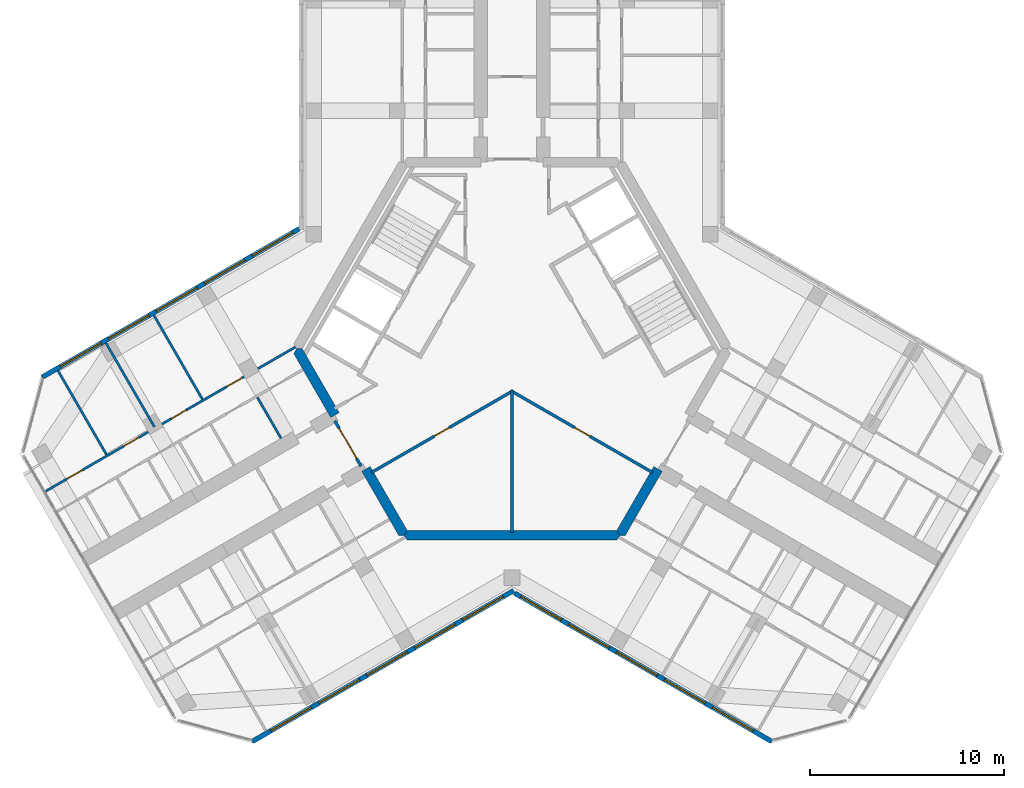
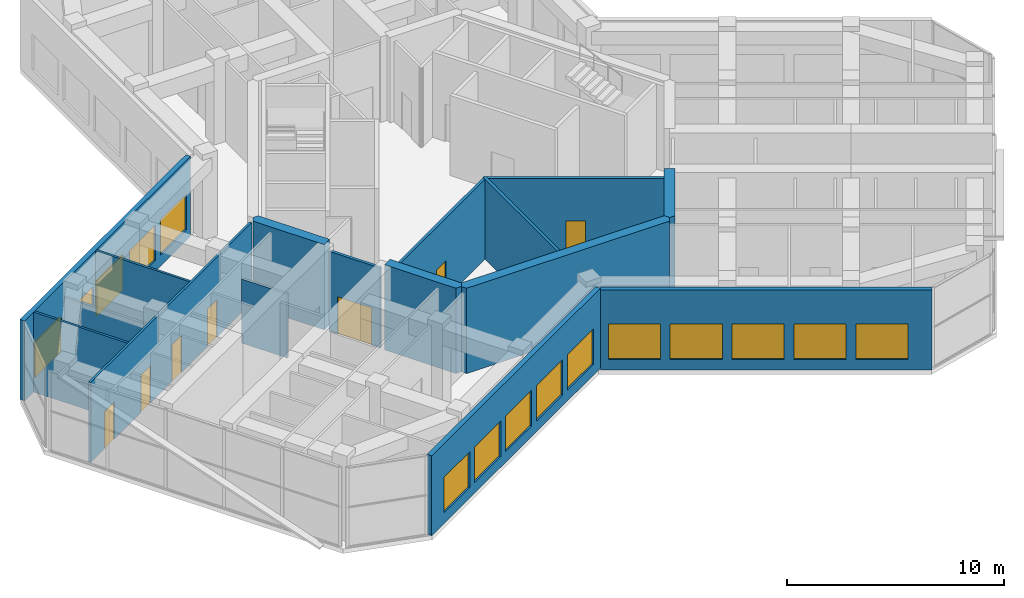
# One storey, part 8 of 14: 16 walls, 15 windows, 7 doors, 22 openings.
"""IFC4 building model written with IfcOpenShell, lengths in metres."""

from ifc_helpers import new_model, si_unit, direction, frame, frame_2d, origin, place, context, subcontext, project, spatial, polyline, rectangle, outline, extrude, material, layer, layer_set, type_object, element, fill, save


model = new_model("IFC4")

# Units and contexts
model_context = context("Model", 3, precision=1e-05, world=origin(), true_north=direction((0.0, 1.0)))
body_context = subcontext(model_context, "Body", "Model", "MODEL_VIEW")
ifc_project = project(units=[si_unit("LENGTHUNIT", "METRE"), si_unit("AREAUNIT", "SQUARE_METRE"), si_unit("VOLUMEUNIT", "CUBIC_METRE"), si_unit("PLANEANGLEUNIT", "RADIAN"), si_unit("MASSUNIT", "GRAM", prefix="KILO")], contexts=[model_context])

# Site, building, storey
site_placement = place(None, origin())
site = spatial("IfcSite", under=ifc_project, at=site_placement, CompositionType="ELEMENT")
building_placement = place(site_placement, origin())
building = spatial("IfcBuilding", under=site, at=building_placement, Name="Kosmar Iwan School Tower", CompositionType="ELEMENT")
storey_placement = place(building_placement, frame((0.0, 0.0, 296.199951171875)))
storey = spatial("IfcBuildingStorey", under=building, at=storey_placement, Name="L75", CompositionType="ELEMENT", Elevation=296.199951171875)

# Wall
ifc_material_1 = material(Name="Gypsum board on steel studs, fire-rated", Category="steel")
ifc_layer_1 = layer(ifc_material_1, 0.14990234375)
ifc_layer_set_1 = layer_set([ifc_layer_1], Name="Core room partition 150")
wall_type_1 = type_object("IfcWallType", Name="Core room partition 150", PredefinedType="PARTITIONING", material=ifc_layer_set_1)
wall_1_placement = place(storey_placement, frame((0.0, -9.445068359375, 0.0), z_axis=(0.0, 0.0, 1.0), x_axis=(0.0, 1.0, 0.0)))
element("IfcWall", 1, at=wall_1_placement, inside=storey, type_object=wall_type_1, Name="Core room partition L75-CW5", PredefinedType="PARTITIONING", context=body_context, shape_type="SweptSolid", body=[
    extrude(rectangle(XDim=7.326171875, YDim=0.14990234375, at=frame_2d((3.6630859375, 0.0))), origin(), (0.0, 0.0, 1.0), 4.5),
])

# Wall, opening, door
wall_2_placement = place(storey_placement, frame((-0.06494140625, -2.156494140625, 0.0), z_axis=(0.0, 0.0, 1.0), x_axis=(0.866026299211, -0.499998449073, 0.0)))
wall_2 = element("IfcWall", 2, at=wall_2_placement, inside=storey, type_object=wall_type_1, Name="Core room partition L75-CW6", PredefinedType="PARTITIONING", context=body_context, shape_type="SweptSolid", body=[
    extrude(rectangle(XDim=8.4228515625, YDim=0.14990234375, at=frame_2d((4.21142578125, 0.0))), origin(), (0.0, 0.0, 1.0), 4.5),
])
opening_1_placement = place(wall_2_placement, frame((3.797119140625, 0.0, 0.0)))
opening_1 = element("IfcOpeningElement", 3, at=opening_1_placement, cuts=wall_2, Name="Opening D14", PredefinedType="OPENING", context=body_context, shape_type="SweptSolid", body=[
    extrude(rectangle(XDim=0.89990234375, YDim=2.10009765625, at=frame_2d((0.449951171875, 1.050048828125))), frame((0.0, 0.0869140625, 0.0), z_axis=(0.0, -1.0, 0.0), x_axis=(1.0, 0.0, 0.0)), (0.0, 0.0, 1.0), 0.173828125),
])
ifc_material_2 = material(Name="Timber fire door in steel frame", Category="steel")
door_type_1 = type_object("IfcDoorType", Name="Core room door 900x2100", OperationType="SINGLE_SWING_LEFT", PredefinedType="DOOR", material=ifc_material_2)
door_1_placement = place(opening_1_placement, origin())
door_1 = element("IfcDoor", 4, at=door_1_placement, inside=storey, type_object=door_type_1, Name="Residents' laundry room door L75 3", OperationType="SINGLE_SWING_RIGHT", OverallHeight=2.10009765625, OverallWidth=0.89990234375, PredefinedType="DOOR", context=body_context, shape_type="SweptSolid", body=[
    extrude(rectangle(XDim=0.89990234375, YDim=2.10009765625, at=frame_2d((0.449951171875, 1.050048828125))), frame((0.0, 0.02490234375, 0.0), z_axis=(0.0, -1.0, 0.0), x_axis=(1.0, 0.0, 0.0)), (0.0, 0.0, 1.0), 0.050048828125),
])
fill(opening_1, door_1)

wall_3_placement = place(storey_placement, frame((-7.2294921875, -6.367919921875, 0.0), z_axis=(0.0, 0.0, 1.0), x_axis=(0.866026299211, 0.499998449073, 0.0)))
wall_3 = element("IfcWall", 5, at=wall_3_placement, inside=storey, type_object=wall_type_1, Name="Core room partition L75-CW7", PredefinedType="PARTITIONING", context=body_context, shape_type="SweptSolid", body=[
    extrude(rectangle(XDim=8.4228515625, YDim=0.14990234375, at=frame_2d((4.21142578125, 0.0))), origin(), (0.0, 0.0, 1.0), 4.5),
])
opening_2_placement = place(wall_3_placement, frame((3.72705078125, 0.0, 0.0)))
opening_2 = element("IfcOpeningElement", 6, at=opening_2_placement, cuts=wall_3, Name="Opening D14", PredefinedType="OPENING", context=body_context, shape_type="SweptSolid", body=[
    extrude(rectangle(XDim=0.89990234375, YDim=2.10009765625, at=frame_2d((0.449951171875, 1.050048828125))), frame((0.0, 0.0869140625, 0.0), z_axis=(0.0, -1.0, 0.0), x_axis=(1.0, 0.0, 0.0)), (0.0, 0.0, 1.0), 0.173828125),
])
door_2_placement = place(opening_2_placement, origin())
door_2 = element("IfcDoor", 7, at=door_2_placement, inside=storey, type_object=door_type_1, Name="Bulky waste store door L75 4", OperationType="SINGLE_SWING_LEFT", OverallHeight=2.10009765625, OverallWidth=0.89990234375, PredefinedType="DOOR", context=body_context, shape_type="SweptSolid", body=[
    extrude(rectangle(XDim=0.89990234375, YDim=2.10009765625, at=frame_2d((0.449951171875, 1.050048828125))), frame((0.0, 0.02490234375, 0.0), z_axis=(0.0, -1.0, 0.0), x_axis=(1.0, 0.0, 0.0)), (0.0, 0.0, 1.0), 0.050048828125),
])
fill(opening_2, door_2)

# Walls
ifc_material_3 = material(Name="Concrete C50/60", Category="concrete")
ifc_layer_2 = layer(ifc_material_3, 0.5)
ifc_layer_set_2 = layer_set([ifc_layer_2], Name="Core wall 500")
wall_type_2 = type_object("IfcWallType", Name="Core wall 500", PredefinedType="SHEAR", material=ifc_layer_set_2)
wall_4_placement = place(storey_placement, origin())
element("IfcWall", 8, at=wall_4_placement, inside=storey, type_object=wall_type_2, Name="Core wall F210a", PredefinedType="SHEAR", context=body_context, shape_type="SweptSolid", body=[
    extrude(outline(polyline([(-9.330322265625, -3.539306640625), (-8.897216796875, -3.289306640625), (-10.79638671875, 0.0), (-11.085205078125, 0.0), (-11.2294921875, -0.25), (-9.330322265625, -3.539306640625)])), origin(), (0.0, 0.0, 1.0), 4.800048828125),
])
wall_5_placement = place(storey_placement, origin())
element("IfcWall", 9, at=wall_5_placement, inside=storey, type_object=wall_type_2, Name="Core wall F210b", PredefinedType="SHEAR", context=body_context, shape_type="SweptSolid", body=[
    extrude(outline(polyline([(-5.831298828125, -9.60009765625), (-5.54248046875, -9.60009765625), (-5.398193359375, -9.35009765625), (-7.29736328125, -6.060546875), (-7.73046875, -6.310546875), (-5.831298828125, -9.60009765625)])), origin(), (0.0, 0.0, 1.0), 4.800048828125),
])
wall_6_placement = place(storey_placement, origin())
element("IfcWall", 10, at=wall_6_placement, inside=storey, type_object=wall_type_2, Name="Core wall F270", PredefinedType="SHEAR", context=body_context, shape_type="SweptSolid", body=[
    extrude(outline(polyline([(-5.398193359375, -9.85009765625), (5.398193359375, -9.85009765625), (5.54248046875, -9.60009765625), (5.398193359375, -9.35009765625), (-5.398193359375, -9.35009765625), (-5.54248046875, -9.60009765625), (-5.398193359375, -9.85009765625)])), origin(), (0.0, 0.0, 1.0), 4.800048828125),
])
wall_7_placement = place(storey_placement, origin())
element("IfcWall", 11, at=wall_7_placement, inside=storey, type_object=wall_type_2, Name="Core wall F330a", PredefinedType="SHEAR", context=body_context, shape_type="SweptSolid", body=[
    extrude(outline(polyline([(5.54248046875, -9.60009765625), (5.831298828125, -9.60009765625), (7.73046875, -6.310546875), (7.29736328125, -6.060546875), (5.398193359375, -9.35009765625), (5.54248046875, -9.60009765625)])), origin(), (0.0, 0.0, 1.0), 4.800048828125),
])

# Wall, opening, door
ifc_material_4 = material(Name="Steel framed glazed screen", Category="steel")
ifc_layer_3 = layer(ifc_material_4, 0.14990234375)
ifc_layer_set_3 = layer_set([ifc_layer_3], Name="Corridor screen wall 150")
wall_type_3 = type_object("IfcWallType", Name="Corridor screen wall 150", PredefinedType="PARTITIONING", material=ifc_layer_set_3)
wall_8_placement = place(storey_placement, frame((-9.11865234375, -3.705810546875, 0.0), z_axis=(0.0, 0.0, 1.0), x_axis=(0.4999416173, -0.866059108428, 0.0)))
wall_8 = element("IfcWall", 12, at=wall_8_placement, inside=storey, type_object=wall_type_3, Name="Corridor screen B L75", PredefinedType="PARTITIONING", context=body_context, shape_type="SweptSolid", body=[
    extrude(rectangle(XDim=2.699951171875, YDim=0.14990234375, at=frame_2d((1.35009765625, 0.0))), origin(), (0.0, 0.0, 1.0), 4.5),
])
opening_3_placement = place(wall_8_placement, frame((0.449951171875, 0.0, 0.0)))
opening_3 = element("IfcOpeningElement", 13, at=opening_3_placement, cuts=wall_8, Name="Opening D9", PredefinedType="OPENING", context=body_context, shape_type="SweptSolid", body=[
    extrude(rectangle(XDim=1.800048828125, YDim=2.10009765625, at=frame_2d((0.89990234375, 1.050048828125))), frame((0.0, 0.0869140625, 0.0), z_axis=(0.0, -1.0, 0.0), x_axis=(1.0, 0.0, 0.0)), (0.0, 0.0, 1.0), 0.173828125),
])
ifc_material_5 = material(Name="Steel framed glazed smoke door", Category="steel")
door_type_2 = type_object("IfcDoorType", Name="Corridor smoke door pair 1800x2100", OperationType="DOUBLE_DOOR_DOUBLE_SWING", PredefinedType="DOOR", material=ifc_material_5)
door_3_placement = place(opening_3_placement, origin())
door_3 = element("IfcDoor", 14, at=door_3_placement, inside=storey, type_object=door_type_2, Name="Corridor doors B L75", OperationType="DOUBLE_DOOR_DOUBLE_SWING", OverallHeight=2.10009765625, OverallWidth=1.800048828125, PredefinedType="DOOR", context=body_context, shape_type="SweptSolid", body=[
    extrude(rectangle(XDim=1.800048828125, YDim=2.10009765625, at=frame_2d((0.89990234375, 1.050048828125))), frame((0.0, 0.02490234375, 0.0), z_axis=(0.0, -1.0, 0.0), x_axis=(1.0, 0.0, 0.0)), (0.0, 0.0, 1.0), 0.050048828125),
])
fill(opening_3, door_3)

# Wall, openings, doors
ifc_material_6 = material(Name="Gypsum board on steel studs", Category="steel")
ifc_layer_4 = layer(ifc_material_6, 0.1201171875)
ifc_layer_set_4 = layer_set([ifc_layer_4], Name="Dwelling partition 120")
wall_type_4 = type_object("IfcWallType", Name="Dwelling partition 120", PredefinedType="PARTITIONING", material=ifc_layer_set_4)
wall_9_placement = place(storey_placement, frame((-11.138916015625, 0.093017578125, 0.0), z_axis=(0.0, 0.0, 1.0), x_axis=(-0.866030301974, -0.499991515992, 0.0)))
wall_9 = element("IfcWall", 15, at=wall_9_placement, inside=storey, type_object=wall_type_4, Name="Partition L75-BR1-W2", PredefinedType="PARTITIONING", context=body_context, shape_type="SweptSolid", body=[
    extrude(rectangle(XDim=14.844970703125, YDim=0.1201171875, at=frame_2d((7.42236328125, 0.0))), origin(), (0.0, 0.0, 1.0), 4.5),
])
opening_4_placement = place(wall_9_placement, frame((3.199951171875, 0.0, 0.0)))
opening_4 = element("IfcOpeningElement", 16, at=opening_4_placement, cuts=wall_9, Name="Opening D2", PredefinedType="OPENING", context=body_context, shape_type="SweptSolid", body=[
    extrude(rectangle(XDim=0.89990234375, YDim=2.10009765625, at=frame_2d((0.449951171875, 1.050048828125))), frame((0.0, 0.072021484375, 0.0), z_axis=(0.0, -1.0, 0.0), x_axis=(1.0, 0.0, 0.0)), (0.0, 0.0, 1.0), 0.14404296875),
])
opening_5_placement = place(wall_9_placement, frame((6.47509765625, 0.0, 0.0)))
opening_5 = element("IfcOpeningElement", 17, at=opening_5_placement, cuts=wall_9, Name="Opening D2", PredefinedType="OPENING", context=body_context, shape_type="SweptSolid", body=[
    extrude(rectangle(XDim=0.89990234375, YDim=2.10009765625, at=frame_2d((0.449951171875, 1.050048828125))), frame((0.0, 0.072021484375, 0.0), z_axis=(0.0, -1.0, 0.0), x_axis=(1.0, 0.0, 0.0)), (0.0, 0.0, 1.0), 0.14404296875),
])
opening_6_placement = place(wall_9_placement, frame((9.324951171875, 0.0, 0.0)))
opening_6 = element("IfcOpeningElement", 18, at=opening_6_placement, cuts=wall_9, Name="Opening D2", PredefinedType="OPENING", context=body_context, shape_type="SweptSolid", body=[
    extrude(rectangle(XDim=0.89990234375, YDim=2.10009765625, at=frame_2d((0.449951171875, 1.050048828125))), frame((0.0, 0.072021484375, 0.0), z_axis=(0.0, -1.0, 0.0), x_axis=(1.0, 0.0, 0.0)), (0.0, 0.0, 1.0), 0.14404296875),
])
opening_7_placement = place(wall_9_placement, frame((12.675048828125, 0.0, 0.0)))
opening_7 = element("IfcOpeningElement", 19, at=opening_7_placement, cuts=wall_9, Name="Opening D2", PredefinedType="OPENING", context=body_context, shape_type="SweptSolid", body=[
    extrude(rectangle(XDim=0.89990234375, YDim=2.10009765625, at=frame_2d((0.449951171875, 1.050048828125))), frame((0.0, 0.072021484375, 0.0), z_axis=(0.0, -1.0, 0.0), x_axis=(1.0, 0.0, 0.0)), (0.0, 0.0, 1.0), 0.14404296875),
])
ifc_material_7 = material(Name="Timber door in timber frame", Category="wood")
door_type_3 = type_object("IfcDoorType", Name="Internal door 900x2100", OperationType="SINGLE_SWING_LEFT", PredefinedType="DOOR", material=ifc_material_7)
door_4_placement = place(opening_4_placement, origin())
door_4 = element("IfcDoor", 20, at=door_4_placement, inside=storey, type_object=door_type_3, Name="Living room and kitchen door L75-BR1-F1", OperationType="SINGLE_SWING_LEFT", OverallHeight=2.10009765625, OverallWidth=0.89990234375, PredefinedType="DOOR", context=body_context, shape_type="SweptSolid", body=[
    extrude(rectangle(XDim=0.89990234375, YDim=2.10009765625, at=frame_2d((0.449951171875, 1.050048828125))), frame((0.0, 0.02490234375, 0.0), z_axis=(0.0, -1.0, 0.0), x_axis=(1.0, 0.0, 0.0)), (0.0, 0.0, 1.0), 0.050048828125),
])
fill(opening_4, door_4)
door_5_placement = place(opening_5_placement, origin())
door_5 = element("IfcDoor", 21, at=door_5_placement, inside=storey, type_object=door_type_3, Name="Study door L75-BR1-F2", OperationType="SINGLE_SWING_LEFT", OverallHeight=2.10009765625, OverallWidth=0.89990234375, PredefinedType="DOOR", context=body_context, shape_type="SweptSolid", body=[
    extrude(rectangle(XDim=0.89990234375, YDim=2.10009765625, at=frame_2d((0.449951171875, 1.050048828125))), frame((0.0, 0.02490234375, 0.0), z_axis=(0.0, -1.0, 0.0), x_axis=(1.0, 0.0, 0.0)), (0.0, 0.0, 1.0), 0.050048828125),
])
fill(opening_5, door_5)
door_6_placement = place(opening_6_placement, origin())
door_6 = element("IfcDoor", 22, at=door_6_placement, inside=storey, type_object=door_type_3, Name="Winter garden door L75-BR1-F3", OperationType="SINGLE_SWING_RIGHT", OverallHeight=2.10009765625, OverallWidth=0.89990234375, PredefinedType="DOOR", context=body_context, shape_type="SweptSolid", body=[
    extrude(rectangle(XDim=0.89990234375, YDim=2.10009765625, at=frame_2d((0.449951171875, 1.050048828125))), frame((0.0, 0.02490234375, 0.0), z_axis=(0.0, -1.0, 0.0), x_axis=(1.0, 0.0, 0.0)), (0.0, 0.0, 1.0), 0.050048828125),
])
fill(opening_6, door_6)
door_7_placement = place(opening_7_placement, origin())
door_7 = element("IfcDoor", 23, at=door_7_placement, inside=storey, type_object=door_type_3, Name="Bedroom 1 door L75-BR1-F4", OperationType="SINGLE_SWING_RIGHT", OverallHeight=2.10009765625, OverallWidth=0.89990234375, PredefinedType="DOOR", context=body_context, shape_type="SweptSolid", body=[
    extrude(rectangle(XDim=0.89990234375, YDim=2.10009765625, at=frame_2d((0.449951171875, 1.050048828125))), frame((0.0, 0.02490234375, 0.0), z_axis=(0.0, -1.0, 0.0), x_axis=(1.0, 0.0, 0.0)), (0.0, 0.0, 1.0), 0.050048828125),
])
fill(opening_7, door_7)

# Walls
wall_10_placement = place(storey_placement, frame((-15.931884765625, -2.60498046875, 0.0), z_axis=(0.0, 0.0, 1.0), x_axis=(-0.500011847778, 0.866018563358, 0.0)))
element("IfcWall", 24, at=wall_10_placement, inside=storey, type_object=wall_type_4, Name="Partition L75-BR1-X1", PredefinedType="PARTITIONING", context=body_context, shape_type="SweptSolid", body=[
    extrude(rectangle(XDim=4.990234375, YDim=0.1201171875, at=frame_2d((2.4951171875, 0.0))), origin(), (0.0, 0.0, 1.0), 4.5),
])
wall_11_placement = place(storey_placement, frame((-18.400146484375, -4.030029296875, 0.0), z_axis=(0.0, 0.0, 1.0), x_axis=(-0.500011847778, 0.866018563358, 0.0)))
element("IfcWall", 25, at=wall_11_placement, inside=storey, type_object=wall_type_4, Name="Partition L75-BR1-X2", PredefinedType="PARTITIONING", context=body_context, shape_type="SweptSolid", body=[
    extrude(rectangle(XDim=4.990234375, YDim=0.1201171875, at=frame_2d((2.4951171875, 0.0))), origin(), (0.0, 0.0, 1.0), 3.60009765625),
])
wall_12_placement = place(storey_placement, frame((-20.868408203125, -5.455078125, 0.0), z_axis=(0.0, 0.0, 1.0), x_axis=(-0.499975153383, 0.86603974851, 0.0)))
element("IfcWall", 26, at=wall_12_placement, inside=storey, type_object=wall_type_4, Name="Partition L75-BR1-X3", PredefinedType="PARTITIONING", context=body_context, shape_type="SweptSolid", body=[
    extrude(rectangle(XDim=4.989990234375, YDim=0.1201171875, at=frame_2d((2.4951171875, 0.0))), origin(), (0.0, 0.0, 1.0), 4.5),
])
wall_13_placement = place(storey_placement, frame((-11.886962890625, -4.611328125, 0.0), z_axis=(0.0, 0.0, 1.0), x_axis=(-0.499959183527, 0.866048967903, 0.0)))
element("IfcWall", 27, at=wall_13_placement, inside=storey, type_object=wall_type_4, Name="Partition L75-BR1-Y1", PredefinedType="PARTITIONING", context=body_context, shape_type="SweptSolid", body=[
    extrude(rectangle(XDim=2.440185546875, YDim=0.1201171875, at=frame_2d((1.22021484375, 0.0))), origin(), (0.0, 0.0, 1.0), 3.60009765625),
])

# Wall, openings, windows
ifc_material_8 = material(Name="Black aluminium rainscreen on insulated framing", Category="aluminium")
ifc_layer_5 = layer(ifc_material_8, 0.25)
ifc_layer_set_5 = layer_set([ifc_layer_5], Name="External wall rainscreen 250")
wall_type_5 = type_object("IfcWallType", Name="External wall rainscreen 250", PredefinedType="SOLIDWALL", material=ifc_layer_set_5)
wall_14_placement = place(storey_placement, frame((0.088134765625, -12.44873046875, 0.0), z_axis=(0.0, 0.0, 1.0), x_axis=(-0.866029894971, -0.499992220956, 0.0)))
wall_14 = element("IfcWall", 28, at=wall_14_placement, inside=storey, type_object=wall_type_5, Name="External wall BL L75", PredefinedType="SOLIDWALL", context=body_context, shape_type="SweptSolid", body=[
    extrude(rectangle(XDim=15.537353515625, YDim=0.25, at=frame_2d((7.7685546875, 0.0))), origin(), (0.0, 0.0, 1.0), 4.5),
])
opening_8_placement = place(wall_14_placement, frame((0.626953125, 0.0, 0.60009765625)))
opening_8 = element("IfcOpeningElement", 29, at=opening_8_placement, cuts=wall_14, Name="Opening W6", PredefinedType="OPENING", context=body_context, shape_type="SweptSolid", body=[
    extrude(rectangle(XDim=2.39990234375, YDim=2.0, at=frame_2d((1.199951171875, 1.0))), frame((0.0, 0.136962890625, 0.0), z_axis=(0.0, -1.0, 0.0), x_axis=(1.0, 0.0, 0.0)), (0.0, 0.0, 1.0), 0.27392578125),
])
opening_9_placement = place(wall_14_placement, frame((3.47705078125, 0.0, 0.60009765625)))
opening_9 = element("IfcOpeningElement", 30, at=opening_9_placement, cuts=wall_14, Name="Opening W6", PredefinedType="OPENING", context=body_context, shape_type="SweptSolid", body=[
    extrude(rectangle(XDim=2.39990234375, YDim=2.0, at=frame_2d((1.199951171875, 1.0))), frame((0.0, 0.136962890625, 0.0), z_axis=(0.0, -1.0, 0.0), x_axis=(1.0, 0.0, 0.0)), (0.0, 0.0, 1.0), 0.27392578125),
])
opening_10_placement = place(wall_14_placement, frame((6.326904296875, 0.0, 0.60009765625)))
opening_10 = element("IfcOpeningElement", 31, at=opening_10_placement, cuts=wall_14, Name="Opening W6", PredefinedType="OPENING", context=body_context, shape_type="SweptSolid", body=[
    extrude(rectangle(XDim=2.39990234375, YDim=2.0, at=frame_2d((1.199951171875, 1.0))), frame((0.0, 0.136962890625, 0.0), z_axis=(0.0, -1.0, 0.0), x_axis=(1.0, 0.0, 0.0)), (0.0, 0.0, 1.0), 0.27392578125),
])
opening_11_placement = place(wall_14_placement, frame((9.177001953125, 0.0, 0.60009765625)))
opening_11 = element("IfcOpeningElement", 32, at=opening_11_placement, cuts=wall_14, Name="Opening W6", PredefinedType="OPENING", context=body_context, shape_type="SweptSolid", body=[
    extrude(rectangle(XDim=2.39990234375, YDim=2.0, at=frame_2d((1.199951171875, 1.0))), frame((0.0, 0.136962890625, 0.0), z_axis=(0.0, -1.0, 0.0), x_axis=(1.0, 0.0, 0.0)), (0.0, 0.0, 1.0), 0.27392578125),
])
opening_12_placement = place(wall_14_placement, frame((12.027099609375, 0.0, 0.60009765625)))
opening_12 = element("IfcOpeningElement", 33, at=opening_12_placement, cuts=wall_14, Name="Opening W6", PredefinedType="OPENING", context=body_context, shape_type="SweptSolid", body=[
    extrude(rectangle(XDim=2.39990234375, YDim=2.0, at=frame_2d((1.199951171875, 1.0))), frame((0.0, 0.136962890625, 0.0), z_axis=(0.0, -1.0, 0.0), x_axis=(1.0, 0.0, 0.0)), (0.0, 0.0, 1.0), 0.27392578125),
])
ifc_material_9 = material(Name="Black aluminium frame with dark triple glazing", Category="aluminium")
window_type = type_object("IfcWindowType", Name="Window 2400x2000", PartitioningType="SINGLE_PANEL", PredefinedType="WINDOW", material=ifc_material_9)
window_1_placement = place(opening_8_placement, origin())
window_1 = element("IfcWindow", 34, at=window_1_placement, inside=storey, type_object=window_type, Name="Window BL L75 -1", OverallHeight=2.0, OverallWidth=2.39990234375, PartitioningType="SINGLE_PANEL", PredefinedType="WINDOW", context=body_context, shape_type="SweptSolid", body=[
    extrude(rectangle(XDim=2.39990234375, YDim=2.0, at=frame_2d((1.199951171875, 1.0))), frame((0.0, 0.030029296875, 0.0), z_axis=(0.0, -1.0, 0.0), x_axis=(1.0, 0.0, 0.0)), (0.0, 0.0, 1.0), 0.06005859375),
])
fill(opening_8, window_1)
window_2_placement = place(opening_9_placement, origin())
window_2 = element("IfcWindow", 35, at=window_2_placement, inside=storey, type_object=window_type, Name="Window BL L75 0", OverallHeight=2.0, OverallWidth=2.39990234375, PartitioningType="SINGLE_PANEL", PredefinedType="WINDOW", context=body_context, shape_type="SweptSolid", body=[
    extrude(rectangle(XDim=2.39990234375, YDim=2.0, at=frame_2d((1.199951171875, 1.0))), frame((0.0, 0.030029296875, 0.0), z_axis=(0.0, -1.0, 0.0), x_axis=(1.0, 0.0, 0.0)), (0.0, 0.0, 1.0), 0.06005859375),
])
fill(opening_9, window_2)
window_3_placement = place(opening_10_placement, origin())
window_3 = element("IfcWindow", 36, at=window_3_placement, inside=storey, type_object=window_type, Name="Window BL L75 1", OverallHeight=2.0, OverallWidth=2.39990234375, PartitioningType="SINGLE_PANEL", PredefinedType="WINDOW", context=body_context, shape_type="SweptSolid", body=[
    extrude(rectangle(XDim=2.39990234375, YDim=2.0, at=frame_2d((1.199951171875, 1.0))), frame((0.0, 0.030029296875, 0.0), z_axis=(0.0, -1.0, 0.0), x_axis=(1.0, 0.0, 0.0)), (0.0, 0.0, 1.0), 0.06005859375),
])
fill(opening_10, window_3)
window_4_placement = place(opening_11_placement, origin())
window_4 = element("IfcWindow", 37, at=window_4_placement, inside=storey, type_object=window_type, Name="Window BL L75 2", OverallHeight=2.0, OverallWidth=2.39990234375, PartitioningType="SINGLE_PANEL", PredefinedType="WINDOW", context=body_context, shape_type="SweptSolid", body=[
    extrude(rectangle(XDim=2.39990234375, YDim=2.0, at=frame_2d((1.199951171875, 1.0))), frame((0.0, 0.030029296875, 0.0), z_axis=(0.0, -1.0, 0.0), x_axis=(1.0, 0.0, 0.0)), (0.0, 0.0, 1.0), 0.06005859375),
])
fill(opening_11, window_4)
window_5_placement = place(opening_12_placement, origin())
window_5 = element("IfcWindow", 38, at=window_5_placement, inside=storey, type_object=window_type, Name="Window BL L75 3", OverallHeight=2.0, OverallWidth=2.39990234375, PartitioningType="SINGLE_PANEL", PredefinedType="WINDOW", context=body_context, shape_type="SweptSolid", body=[
    extrude(rectangle(XDim=2.39990234375, YDim=2.0, at=frame_2d((1.199951171875, 1.0))), frame((0.0, 0.030029296875, 0.0), z_axis=(0.0, -1.0, 0.0), x_axis=(1.0, 0.0, 0.0)), (0.0, 0.0, 1.0), 0.06005859375),
])
fill(opening_12, window_5)

wall_15_placement = place(storey_placement, frame((0.137939453125, -12.5791015625, 0.0), z_axis=(0.0, 0.0, 1.0), x_axis=(0.866025637253, -0.499999595621, 0.0)))
wall_15 = element("IfcWall", 39, at=wall_15_placement, inside=storey, type_object=wall_type_5, Name="External wall CR L75", PredefinedType="SOLIDWALL", context=body_context, shape_type="SweptSolid", body=[
    extrude(rectangle(XDim=15.2763671875, YDim=0.25, at=frame_2d((7.63818359375, 0.0))), origin(), (0.0, 0.0, 1.0), 4.5),
])
opening_13_placement = place(wall_15_placement, frame((0.365966796875, 0.0, 0.60009765625)))
opening_13 = element("IfcOpeningElement", 40, at=opening_13_placement, cuts=wall_15, Name="Opening W6", PredefinedType="OPENING", context=body_context, shape_type="SweptSolid", body=[
    extrude(rectangle(XDim=2.39990234375, YDim=2.0, at=frame_2d((1.199951171875, 1.0))), frame((0.0, 0.136962890625, 0.0), z_axis=(0.0, -1.0, 0.0), x_axis=(1.0, 0.0, 0.0)), (0.0, 0.0, 1.0), 0.27392578125),
])
opening_14_placement = place(wall_15_placement, frame((3.216064453125, 0.0, 0.60009765625)))
opening_14 = element("IfcOpeningElement", 41, at=opening_14_placement, cuts=wall_15, Name="Opening W6", PredefinedType="OPENING", context=body_context, shape_type="SweptSolid", body=[
    extrude(rectangle(XDim=2.39990234375, YDim=2.0, at=frame_2d((1.199951171875, 1.0))), frame((0.0, 0.136962890625, 0.0), z_axis=(0.0, -1.0, 0.0), x_axis=(1.0, 0.0, 0.0)), (0.0, 0.0, 1.0), 0.27392578125),
])
opening_15_placement = place(wall_15_placement, frame((6.06591796875, 0.0, 0.60009765625)))
opening_15 = element("IfcOpeningElement", 42, at=opening_15_placement, cuts=wall_15, Name="Opening W6", PredefinedType="OPENING", context=body_context, shape_type="SweptSolid", body=[
    extrude(rectangle(XDim=2.39990234375, YDim=2.0, at=frame_2d((1.199951171875, 1.0))), frame((0.0, 0.136962890625, 0.0), z_axis=(0.0, -1.0, 0.0), x_axis=(1.0, 0.0, 0.0)), (0.0, 0.0, 1.0), 0.27392578125),
])
opening_16_placement = place(wall_15_placement, frame((8.916015625, 0.0, 0.60009765625)))
opening_16 = element("IfcOpeningElement", 43, at=opening_16_placement, cuts=wall_15, Name="Opening W6", PredefinedType="OPENING", context=body_context, shape_type="SweptSolid", body=[
    extrude(rectangle(XDim=2.39990234375, YDim=2.0, at=frame_2d((1.199951171875, 1.0))), frame((0.0, 0.136962890625, 0.0), z_axis=(0.0, -1.0, 0.0), x_axis=(1.0, 0.0, 0.0)), (0.0, 0.0, 1.0), 0.27392578125),
])
opening_17_placement = place(wall_15_placement, frame((11.76611328125, 0.0, 0.60009765625)))
opening_17 = element("IfcOpeningElement", 44, at=opening_17_placement, cuts=wall_15, Name="Opening W6", PredefinedType="OPENING", context=body_context, shape_type="SweptSolid", body=[
    extrude(rectangle(XDim=2.39990234375, YDim=2.0, at=frame_2d((1.199951171875, 1.0))), frame((0.0, 0.136962890625, 0.0), z_axis=(0.0, -1.0, 0.0), x_axis=(1.0, 0.0, 0.0)), (0.0, 0.0, 1.0), 0.27392578125),
])
window_6_placement = place(opening_13_placement, origin())
window_6 = element("IfcWindow", 45, at=window_6_placement, inside=storey, type_object=window_type, Name="Window CR L75 -1", OverallHeight=2.0, OverallWidth=2.39990234375, PartitioningType="SINGLE_PANEL", PredefinedType="WINDOW", context=body_context, shape_type="SweptSolid", body=[
    extrude(rectangle(XDim=2.39990234375, YDim=2.0, at=frame_2d((1.199951171875, 1.0))), frame((0.0, 0.030029296875, 0.0), z_axis=(0.0, -1.0, 0.0), x_axis=(1.0, 0.0, 0.0)), (0.0, 0.0, 1.0), 0.06005859375),
])
fill(opening_13, window_6)
window_7_placement = place(opening_14_placement, origin())
window_7 = element("IfcWindow", 46, at=window_7_placement, inside=storey, type_object=window_type, Name="Window CR L75 0", OverallHeight=2.0, OverallWidth=2.39990234375, PartitioningType="SINGLE_PANEL", PredefinedType="WINDOW", context=body_context, shape_type="SweptSolid", body=[
    extrude(rectangle(XDim=2.39990234375, YDim=2.0, at=frame_2d((1.199951171875, 1.0))), frame((0.0, 0.030029296875, 0.0), z_axis=(0.0, -1.0, 0.0), x_axis=(1.0, 0.0, 0.0)), (0.0, 0.0, 1.0), 0.06005859375),
])
fill(opening_14, window_7)
window_8_placement = place(opening_15_placement, origin())
window_8 = element("IfcWindow", 47, at=window_8_placement, inside=storey, type_object=window_type, Name="Window CR L75 1", OverallHeight=2.0, OverallWidth=2.39990234375, PartitioningType="SINGLE_PANEL", PredefinedType="WINDOW", context=body_context, shape_type="SweptSolid", body=[
    extrude(rectangle(XDim=2.39990234375, YDim=2.0, at=frame_2d((1.199951171875, 1.0))), frame((0.0, 0.030029296875, 0.0), z_axis=(0.0, -1.0, 0.0), x_axis=(1.0, 0.0, 0.0)), (0.0, 0.0, 1.0), 0.06005859375),
])
fill(opening_15, window_8)
window_9_placement = place(opening_16_placement, origin())
window_9 = element("IfcWindow", 48, at=window_9_placement, inside=storey, type_object=window_type, Name="Window CR L75 2", OverallHeight=2.0, OverallWidth=2.39990234375, PartitioningType="SINGLE_PANEL", PredefinedType="WINDOW", context=body_context, shape_type="SweptSolid", body=[
    extrude(rectangle(XDim=2.39990234375, YDim=2.0, at=frame_2d((1.199951171875, 1.0))), frame((0.0, 0.030029296875, 0.0), z_axis=(0.0, -1.0, 0.0), x_axis=(1.0, 0.0, 0.0)), (0.0, 0.0, 1.0), 0.06005859375),
])
fill(opening_16, window_9)
window_10_placement = place(opening_17_placement, origin())
window_10 = element("IfcWindow", 49, at=window_10_placement, inside=storey, type_object=window_type, Name="Window CR L75 3", OverallHeight=2.0, OverallWidth=2.39990234375, PartitioningType="SINGLE_PANEL", PredefinedType="WINDOW", context=body_context, shape_type="SweptSolid", body=[
    extrude(rectangle(XDim=2.39990234375, YDim=2.0, at=frame_2d((1.199951171875, 1.0))), frame((0.0, 0.030029296875, 0.0), z_axis=(0.0, -1.0, 0.0), x_axis=(1.0, 0.0, 0.0)), (0.0, 0.0, 1.0), 0.06005859375),
])
fill(opening_17, window_10)

wall_16_placement = place(storey_placement, frame((-10.962890625, 6.170166015625, 0.0), z_axis=(0.0, 0.0, 1.0), x_axis=(-0.866025637253, -0.499999595621, 0.0)))
wall_16 = element("IfcWall", 50, at=wall_16_placement, inside=storey, type_object=wall_type_5, Name="External wall BR L75", PredefinedType="SOLIDWALL", context=body_context, shape_type="SweptSolid", body=[
    extrude(rectangle(XDim=15.2763671875, YDim=0.25, at=frame_2d((7.63818359375, 0.0))), origin(), (0.0, 0.0, 1.0), 4.5),
])
opening_18_placement = place(wall_16_placement, frame((0.365966796875, 0.0, 0.60009765625)))
opening_18 = element("IfcOpeningElement", 51, at=opening_18_placement, cuts=wall_16, Name="Opening W6", PredefinedType="OPENING", context=body_context, shape_type="SweptSolid", body=[
    extrude(rectangle(XDim=2.39990234375, YDim=2.0, at=frame_2d((1.199951171875, 1.0))), frame((0.0, 0.136962890625, 0.0), z_axis=(0.0, -1.0, 0.0), x_axis=(1.0, 0.0, 0.0)), (0.0, 0.0, 1.0), 0.27392578125),
])
opening_19_placement = place(wall_16_placement, frame((3.216064453125, 0.0, 0.60009765625)))
opening_19 = element("IfcOpeningElement", 52, at=opening_19_placement, cuts=wall_16, Name="Opening W6", PredefinedType="OPENING", context=body_context, shape_type="SweptSolid", body=[
    extrude(rectangle(XDim=2.39990234375, YDim=2.0, at=frame_2d((1.199951171875, 1.0))), frame((0.0, 0.136962890625, 0.0), z_axis=(0.0, -1.0, 0.0), x_axis=(1.0, 0.0, 0.0)), (0.0, 0.0, 1.0), 0.27392578125),
])
opening_20_placement = place(wall_16_placement, frame((6.06591796875, 0.0, 0.60009765625)))
opening_20 = element("IfcOpeningElement", 53, at=opening_20_placement, cuts=wall_16, Name="Opening W6", PredefinedType="OPENING", context=body_context, shape_type="SweptSolid", body=[
    extrude(rectangle(XDim=2.39990234375, YDim=2.0, at=frame_2d((1.199951171875, 1.0))), frame((0.0, 0.136962890625, 0.0), z_axis=(0.0, -1.0, 0.0), x_axis=(1.0, 0.0, 0.0)), (0.0, 0.0, 1.0), 0.27392578125),
])
opening_21_placement = place(wall_16_placement, frame((8.916015625, 0.0, 0.60009765625)))
opening_21 = element("IfcOpeningElement", 54, at=opening_21_placement, cuts=wall_16, Name="Opening W6", PredefinedType="OPENING", context=body_context, shape_type="SweptSolid", body=[
    extrude(rectangle(XDim=2.39990234375, YDim=2.0, at=frame_2d((1.199951171875, 1.0))), frame((0.0, 0.136962890625, 0.0), z_axis=(0.0, -1.0, 0.0), x_axis=(1.0, 0.0, 0.0)), (0.0, 0.0, 1.0), 0.27392578125),
])
opening_22_placement = place(wall_16_placement, frame((11.76611328125, 0.0, 0.60009765625)))
opening_22 = element("IfcOpeningElement", 55, at=opening_22_placement, cuts=wall_16, Name="Opening W6", PredefinedType="OPENING", context=body_context, shape_type="SweptSolid", body=[
    extrude(rectangle(XDim=2.39990234375, YDim=2.0, at=frame_2d((1.199951171875, 1.0))), frame((0.0, 0.136962890625, 0.0), z_axis=(0.0, -1.0, 0.0), x_axis=(1.0, 0.0, 0.0)), (0.0, 0.0, 1.0), 0.27392578125),
])
window_11_placement = place(opening_18_placement, origin())
window_11 = element("IfcWindow", 56, at=window_11_placement, inside=storey, type_object=window_type, Name="Window BR L75 -1", OverallHeight=2.0, OverallWidth=2.39990234375, PartitioningType="SINGLE_PANEL", PredefinedType="WINDOW", context=body_context, shape_type="SweptSolid", body=[
    extrude(rectangle(XDim=2.39990234375, YDim=2.0, at=frame_2d((1.199951171875, 1.0))), frame((0.0, 0.030029296875, 0.0), z_axis=(0.0, -1.0, 0.0), x_axis=(1.0, 0.0, 0.0)), (0.0, 0.0, 1.0), 0.06005859375),
])
fill(opening_18, window_11)
window_12_placement = place(opening_19_placement, origin())
window_12 = element("IfcWindow", 57, at=window_12_placement, inside=storey, type_object=window_type, Name="Window BR L75 0", OverallHeight=2.0, OverallWidth=2.39990234375, PartitioningType="SINGLE_PANEL", PredefinedType="WINDOW", context=body_context, shape_type="SweptSolid", body=[
    extrude(rectangle(XDim=2.39990234375, YDim=2.0, at=frame_2d((1.199951171875, 1.0))), frame((0.0, 0.030029296875, 0.0), z_axis=(0.0, -1.0, 0.0), x_axis=(1.0, 0.0, 0.0)), (0.0, 0.0, 1.0), 0.06005859375),
])
fill(opening_19, window_12)
window_13_placement = place(opening_20_placement, origin())
window_13 = element("IfcWindow", 58, at=window_13_placement, inside=storey, type_object=window_type, Name="Window BR L75 1", OverallHeight=2.0, OverallWidth=2.39990234375, PartitioningType="SINGLE_PANEL", PredefinedType="WINDOW", context=body_context, shape_type="SweptSolid", body=[
    extrude(rectangle(XDim=2.39990234375, YDim=2.0, at=frame_2d((1.199951171875, 1.0))), frame((0.0, 0.030029296875, 0.0), z_axis=(0.0, -1.0, 0.0), x_axis=(1.0, 0.0, 0.0)), (0.0, 0.0, 1.0), 0.06005859375),
])
fill(opening_20, window_13)
window_14_placement = place(opening_21_placement, origin())
window_14 = element("IfcWindow", 59, at=window_14_placement, inside=storey, type_object=window_type, Name="Window BR L75 2", OverallHeight=2.0, OverallWidth=2.39990234375, PartitioningType="SINGLE_PANEL", PredefinedType="WINDOW", context=body_context, shape_type="SweptSolid", body=[
    extrude(rectangle(XDim=2.39990234375, YDim=2.0, at=frame_2d((1.199951171875, 1.0))), frame((0.0, 0.030029296875, 0.0), z_axis=(0.0, -1.0, 0.0), x_axis=(1.0, 0.0, 0.0)), (0.0, 0.0, 1.0), 0.06005859375),
])
fill(opening_21, window_14)
window_15_placement = place(opening_22_placement, origin())
window_15 = element("IfcWindow", 60, at=window_15_placement, inside=storey, type_object=window_type, Name="Window BR L75 3", OverallHeight=2.0, OverallWidth=2.39990234375, PartitioningType="SINGLE_PANEL", PredefinedType="WINDOW", context=body_context, shape_type="SweptSolid", body=[
    extrude(rectangle(XDim=2.39990234375, YDim=2.0, at=frame_2d((1.199951171875, 1.0))), frame((0.0, 0.030029296875, 0.0), z_axis=(0.0, -1.0, 0.0), x_axis=(1.0, 0.0, 0.0)), (0.0, 0.0, 1.0), 0.06005859375),
])
fill(opening_22, window_15)

save(model, "model.ifc")
